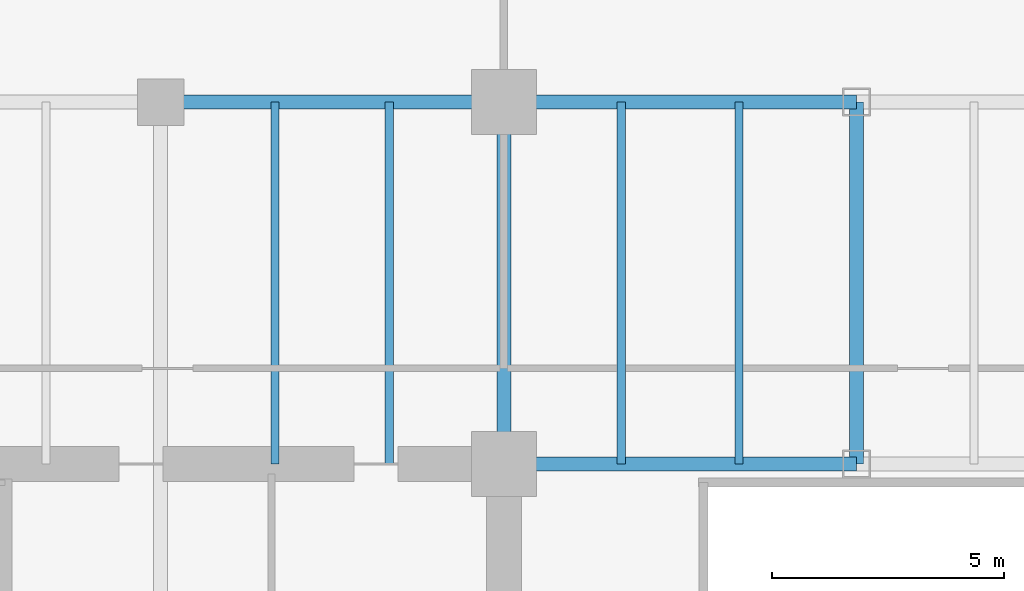
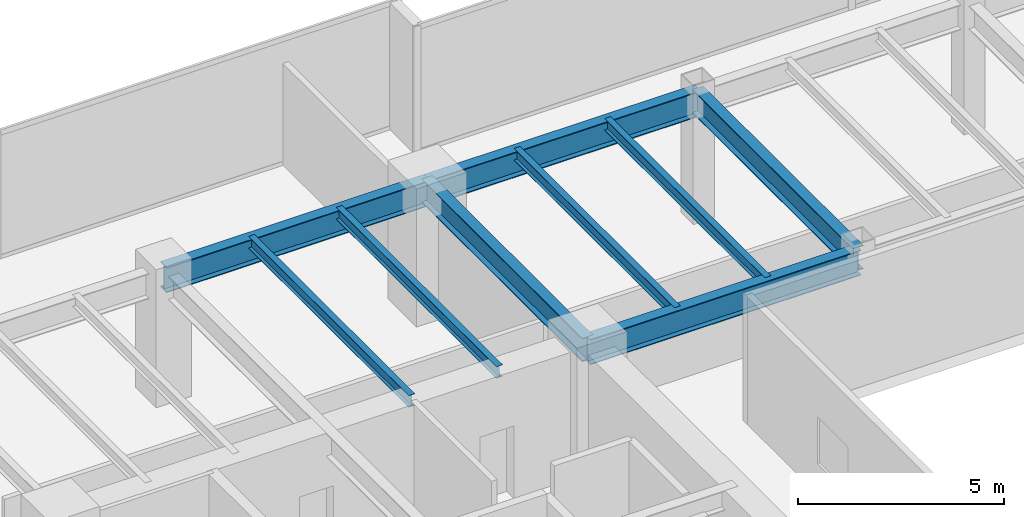
# One storey, part 13 of 35: 9 beams.
"""IFC4 building model written with IfcOpenShell, lengths in metres."""

import ifcopenshell
import ifcopenshell.guid

model = None  # the IFC model being written
_history = None  # IfcOwnerHistory: only IFC2X3 demands one
_inside = {}  # id of a spatial element -> (the spatial element, [elements in it])
_under = {}  # id of a project, library or spatial element -> (it, [spatial elements below it])
_declared = {}  # id of a project -> (the project, [libraries it declares])
_typed = {}  # id of a type object -> (the type object, [elements of that type])
_made_of = {}  # id of a material, layer set ... -> (it, [elements and type objects made of it])


def new_model(schema):
    """Start an empty IFC model of exactly this schema.

    Asked for "IFC4X3", IfcOpenShell would pick the latest addendum, in which some entities
    have other attributes; the version numbers below select the first issue.
    IFC2X3 requires an IfcOwnerHistory on every rooted entity: one is made here for all.
    """
    global model, _history
    if schema == "IFC4X3":
        model = ifcopenshell.file(schema_version=(4, 3, 0, 0))
    else:
        model = ifcopenshell.file(schema=schema)
    _inside.clear()
    _under.clear()
    _declared.clear()
    _typed.clear()
    _made_of.clear()
    _history = None
    if model.schema == "IFC2X3":
        org = make("IfcOrganization", Name="unknown")
        user = make(
            "IfcPersonAndOrganization",
            ThePerson=make("IfcPerson", FamilyName="unknown"),
            TheOrganization=org,
        )
        app = make(
            "IfcApplication",
            ApplicationDeveloper=org,
            Version="unknown",
            ApplicationFullName="unknown",
            ApplicationIdentifier="unknown",
        )
        _history = make(
            "IfcOwnerHistory",
            OwningUser=user,
            OwningApplication=app,
            ChangeAction="ADDED",
            CreationDate=0,
        )
    return model


def make(cls, **values):
    """One entity of the class cls with the attributes given. An attribute that is None is left unset."""
    return model.create_entity(
        cls, **{name: value for name, value in values.items() if value is not None}
    )


def rooted(cls, **values):
    """An entity with a GlobalId (a new one), such as an element, a storey or a relation."""
    return make(cls, GlobalId=ifcopenshell.guid.new(), OwnerHistory=_history, **values)


def si_unit(unit_type, name, prefix=None):
    """IfcSIUnit, for example si_unit("LENGTHUNIT", "METRE", prefix="MILLI")."""
    return make("IfcSIUnit", UnitType=unit_type, Prefix=prefix, Name=name)


def assignment(units):
    """IfcUnitAssignment: the units of a project."""
    return None if units is None else make("IfcUnitAssignment", Units=units)


def point(xyz):
    """IfcCartesianPoint."""
    return None if xyz is None else make("IfcCartesianPoint", Coordinates=xyz)


def direction(xyz):
    """IfcDirection."""
    return None if xyz is None else make("IfcDirection", DirectionRatios=xyz)


def frame(location, z_axis=None, x_axis=None):
    """IfcAxis2Placement3D, a coordinate frame: its origin and axes. An axis left out is left unset."""
    return make(
        "IfcAxis2Placement3D",
        Location=point(location),
        Axis=direction(z_axis),
        RefDirection=direction(x_axis),
    )


def frame_2d(location, x_axis=None):
    """IfcAxis2Placement2D, a coordinate frame in the plane: its origin and x axis."""
    return make(
        "IfcAxis2Placement2D", Location=point(location), RefDirection=direction(x_axis)
    )


def origin():
    """The frame at (0, 0, 0) with its axes left unset."""
    return frame((0.0, 0.0, 0.0))


def origin_2d():
    """The frame at (0, 0) in the plane with its x axis left unset."""
    return frame_2d((0.0, 0.0))


def place(relative_to, where):
    """IfcLocalPlacement: puts the frame where relative to a parent placement (None: the world)."""
    return make(
        "IfcLocalPlacement", PlacementRelTo=relative_to, RelativePlacement=where
    )


def context(
    kind, dimensions, precision=None, world=None, true_north=None, identifier=None
):
    """IfcGeometricRepresentationContext, for example the 3D "Model" context."""
    return make(
        "IfcGeometricRepresentationContext",
        ContextIdentifier=identifier,
        ContextType=kind,
        CoordinateSpaceDimension=dimensions,
        Precision=precision,
        WorldCoordinateSystem=world,
        TrueNorth=true_north,
    )


def subcontext(parent, identifier, kind, view, scale=None):
    """IfcGeometricRepresentationSubContext, for example "Body" below "Model"."""
    return make(
        "IfcGeometricRepresentationSubContext",
        ContextIdentifier=identifier,
        ContextType=kind,
        ParentContext=parent,
        TargetScale=scale,
        TargetView=view,
    )


def project(units=None, contexts=None):
    """IfcProject with its units and contexts."""
    return rooted(
        "IfcProject",
        Name="project",
        RepresentationContexts=contexts,
        UnitsInContext=assignment(units),
    )


def spatial(cls, under=None, at=None, **own):
    """A site, building, storey or space (cls), placed at a placement, below another one or the project."""
    s = rooted(cls, ObjectPlacement=at, **own)
    if under is not None:
        _under.setdefault(under.id(), (under, []))[1].append(s)
    return s


def profile(cls, at=None, kind="AREA", **sizes):
    """A parametric profile (cls). Its sizes go by their IFC names, for example OverallWidth=200.0."""
    return make(cls, ProfileType=kind, Position=at, **sizes)


def i_section(**sizes):
    """IfcIShapeProfileDef."""
    return profile("IfcIShapeProfileDef", **sizes)


def extrude(swept, where, along, depth):
    """IfcExtrudedAreaSolid: the profile swept, set in the frame where, extruded along a direction by depth."""
    return make(
        "IfcExtrudedAreaSolid",
        SweptArea=swept,
        Position=where,
        ExtrudedDirection=direction(along),
        Depth=depth,
    )


def shape(context_of_items, identifier, shape_type, items):
    """IfcShapeRepresentation: the items that make up one representation, for example the "Body"."""
    return make(
        "IfcShapeRepresentation",
        ContextOfItems=context_of_items,
        RepresentationIdentifier=identifier,
        RepresentationType=shape_type,
        Items=items,
    )


def source(mapping_origin, context_of_items, identifier, shape_type, items):
    """IfcRepresentationMap: a shape defined once, which mapped items show again and again."""
    return make(
        "IfcRepresentationMap",
        MappingOrigin=mapping_origin,
        MappedRepresentation=shape(context_of_items, identifier, shape_type, items),
    )


def transform(
    local_origin,
    x_axis=None,
    y_axis=None,
    z_axis=None,
    scale=None,
    scale2=None,
    scale3=None,
    uniform=True,
):
    """IfcCartesianTransformationOperator3D, or its non-uniform kind. x_axis, y_axis, z_axis: its Axis1, 2, 3."""
    if uniform:
        return make(
            "IfcCartesianTransformationOperator3D",
            Axis1=direction(x_axis),
            Axis2=direction(y_axis),
            LocalOrigin=point(local_origin),
            Scale=scale,
            Axis3=direction(z_axis),
        )
    return make(
        "IfcCartesianTransformationOperator3DnonUniform",
        Axis1=direction(x_axis),
        Axis2=direction(y_axis),
        LocalOrigin=point(local_origin),
        Scale=scale,
        Axis3=direction(z_axis),
        Scale2=scale2,
        Scale3=scale3,
    )


def mapped(mapping_source, mapping_target):
    """IfcMappedItem: shows the shape of a source again, moved by a transform."""
    return make(
        "IfcMappedItem", MappingSource=mapping_source, MappingTarget=mapping_target
    )


def material(Name=None, Category=None):
    """IfcMaterial."""
    return make("IfcMaterial", Name=Name, Category=Category)


def material_profile(
    of_material, cross_section, Name=None, Category=None, Priority=None
):
    """IfcMaterialProfile: a cross section and its material."""
    return make(
        "IfcMaterialProfile",
        Name=Name,
        Material=of_material,
        Profile=cross_section,
        Priority=Priority,
        Category=Category,
    )


def profile_set(profiles, Name=None, composite=None):
    """IfcMaterialProfileSet."""
    return make(
        "IfcMaterialProfileSet",
        Name=Name,
        MaterialProfiles=profiles,
        CompositeProfile=composite,
    )


def made_of(thing, what):
    """Note that an element or type object is made of a material, layer set ...; save() writes the relation."""
    if what is not None:
        _made_of.setdefault(what.id(), (what, []))[1].append(thing)
    return thing


def type_object(cls, material=None, **own):
    """A type object (cls), such as IfcWallType, which elements share."""
    return made_of(rooted(cls, **own), material)


def type_shapes(of_type, sources):
    """Give a type object the sources (RepresentationMaps) that its elements show as mapped items."""
    of_type.RepresentationMaps = sources


def element(
    cls,
    number,
    at=None,
    inside=None,
    cuts=None,
    type_object=None,
    material=None,
    context=None,
    identifier="Body",
    shape_type=None,
    held_by="IfcProductDefinitionShape",
    body=None,
    shapes=None,
    **own,
):
    """One element of the class cls, such as IfcWall. Its Tag is "e" and its number.

    at: its placement. inside: the storey or other place that contains it. cuts: it is an
    opening in that element (IfcRelVoidsElement). A single representation is given by context,
    identifier, shape_type and body (its items); several are given by shapes. held_by: the class
    of the entity that holds the representations. save() writes the other relations.
    """
    e = rooted(cls, Tag="e%d" % number, ObjectPlacement=at, **own)
    if body is not None:
        shapes = [shape(context, identifier, shape_type, body)]
    if shapes is not None:
        e.Representation = make(held_by, Representations=shapes)
    if inside is not None:
        _inside.setdefault(inside.id(), (inside, []))[1].append(e)
    if cuts is not None:
        rooted(
            "IfcRelVoidsElement", RelatingBuildingElement=cuts, RelatedOpeningElement=e
        )
    if type_object is not None:
        _typed.setdefault(type_object.id(), (type_object, []))[1].append(e)
    return made_of(e, material)


def aggregate(whole, parts):
    """IfcRelAggregates: a whole, such as a stair, and the parts it consists of."""
    return rooted("IfcRelAggregates", RelatingObject=whole, RelatedObjects=parts)


def save(model, path):
    """Write the relations noted so far, then the file.

    IfcRelAggregates (storeys below a building ...), IfcRelContainedInSpatialStructure (elements
    in a storey), IfcRelDefinesByType, IfcRelAssociatesMaterial and IfcRelDeclares: one each for
    every whole, place, type object, material and project.
    """
    for whole, parts in _under.values():
        aggregate(whole, parts)
    for where, things in _inside.values():
        rooted(
            "IfcRelContainedInSpatialStructure",
            RelatedElements=things,
            RelatingStructure=where,
        )
    for kind, things in _typed.values():
        rooted("IfcRelDefinesByType", RelatedObjects=things, RelatingType=kind)
    for what, things in _made_of.values():
        rooted("IfcRelAssociatesMaterial", RelatedObjects=things, RelatingMaterial=what)
    for by, libraries in _declared.values():
        rooted("IfcRelDeclares", RelatingContext=by, RelatedDefinitions=libraries)
    model.write(path)


model = new_model("IFC4")

# Units and contexts
model_context = context("Model", 3, precision=1e-05, world=origin(), true_north=direction((0.0, 1.0)))
body_context = subcontext(model_context, "Body", "Model", "MODEL_VIEW")
ifc_project = project(units=[si_unit("LENGTHUNIT", "METRE"), si_unit("AREAUNIT", "SQUARE_METRE"), si_unit("VOLUMEUNIT", "CUBIC_METRE"), si_unit("PLANEANGLEUNIT", "RADIAN"), si_unit("MASSUNIT", "GRAM", prefix="KILO")], contexts=[model_context])

# Site, building, storey
site_placement = place(None, origin())
site = spatial("IfcSite", under=ifc_project, at=site_placement, CompositionType="ELEMENT")
building_placement = place(site_placement, origin())
building = spatial("IfcBuilding", under=site, at=building_placement, Name="Haelvirn Gate Laboratories", CompositionType="ELEMENT")
storey_placement = place(building_placement, frame((0.0, 0.0, 41.60009765625)))
storey = spatial("IfcBuildingStorey", under=building, at=storey_placement, Name="L10", CompositionType="ELEMENT", Elevation=41.60009765625)

# Beams
ifc_material = material(Name="Steel SM355", Category="steel")
ifc_material_profile_1 = material_profile(ifc_material, i_section(OverallWidth=0.300048828125, OverallDepth=0.699951171875, WebThickness=0.012939453125, FlangeThickness=0.02392578125, at=origin_2d()), Name="H-700x300x13x24")
ifc_profile_set_1 = profile_set([ifc_material_profile_1], Name="Steel SM355")
beam_type_1 = type_object("IfcBeamType", Name="BM-G-700", PredefinedType="BEAM", material=ifc_profile_set_1)
shared_shape_1 = source(origin(), body_context, "Body", "SweptSolid", [
    extrude(i_section(OverallWidth=0.300048828125, OverallDepth=0.699951171875, WebThickness=0.012939453125, FlangeThickness=0.02392578125, at=origin_2d()), origin(), (0.0, 0.0, 1.0), 7.800048828125),
])
type_shapes(beam_type_1, [shared_shape_1])
for number, where, z_axis, x_axis, name in (
    (1, (22.199951171875, 33.800048828125, 3.429931640625), (0.0, 1.0, 0.0), (-1.0, 0.0, 0.0), "L10 Frame Girder X22.2 (33.8-41.6)"),
    (2, (29.800048828125, 33.800048828125, 3.429931640625), (0.0, 1.0, 0.0), (-1.0, 0.0, 0.0), "L10 Frame Girder X29.8 (33.8-41.6)"),
):
    element("IfcBeam", number, at=place(storey_placement, frame(where, z_axis=z_axis, x_axis=x_axis)), inside=storey, type_object=beam_type_1, Name=name, PredefinedType="BEAM", context=body_context, shape_type="MappedRepresentation", body=[
        mapped(shared_shape_1, transform((0.0, 0.0, 0.0), scale=1.0)),
    ])
ifc_material_profile_2 = material_profile(ifc_material, i_section(OverallWidth=0.300048828125, OverallDepth=0.75, WebThickness=0.013916015625, FlangeThickness=0.02392578125, at=origin_2d()), Name="H-750x300x14x24")
ifc_profile_set_2 = profile_set([ifc_material_profile_2], Name="Steel SM355")
beam_type_2 = type_object("IfcBeamType", Name="BM-G-750", PredefinedType="BEAM", material=ifc_profile_set_2)
shared_shape_2 = source(origin(), body_context, "Body", "SweptSolid", [
    extrude(i_section(OverallWidth=0.300048828125, OverallDepth=0.75, WebThickness=0.013916015625, FlangeThickness=0.02392578125, at=origin_2d()), origin(), (0.0, 0.0, 1.0), 7.39990234375),
])
beam_placement = place(storey_placement, frame((14.800048828125, 41.60009765625, 3.40478515625), z_axis=(1.0, 0.0, 0.0), x_axis=(0.0, 1.0, 0.0)))
element("IfcBeam", 3, at=beam_placement, inside=storey, type_object=beam_type_2, Name="L10 Primary Girder Y41.6 (14.8-22.2)", PredefinedType="BEAM", context=body_context, shape_type="MappedRepresentation", body=[
    mapped(shared_shape_2, transform((0.0, 0.0, 0.0), scale=1.0)),
])
shared_shape_3 = source(origin(), body_context, "Body", "SweptSolid", [
    extrude(i_section(OverallWidth=0.300048828125, OverallDepth=0.75, WebThickness=0.013916015625, FlangeThickness=0.02392578125, at=origin_2d()), origin(), (0.0, 0.0, 1.0), 7.60009765625),
])
type_shapes(beam_type_2, [shared_shape_2, shared_shape_3])
for number, where, z_axis, x_axis, name in (
    (4, (22.199951171875, 33.800048828125, 3.40478515625), (1.0, 0.0, 0.0), (0.0, 1.0, 0.0), "L10 Primary Girder Y33.8 (22.2-29.8)"),
    (5, (22.199951171875, 41.60009765625, 3.40478515625), (1.0, 0.0, 0.0), (0.0, 1.0, 0.0), "L10 Primary Girder Y41.6 (22.2-29.8)"),
):
    element("IfcBeam", number, at=place(storey_placement, frame(where, z_axis=z_axis, x_axis=x_axis)), inside=storey, type_object=beam_type_2, Name=name, PredefinedType="BEAM", context=body_context, shape_type="MappedRepresentation", body=[
        mapped(shared_shape_3, transform((0.0, 0.0, 0.0), scale=1.0)),
    ])
ifc_material_profile_3 = material_profile(ifc_material, i_section(OverallWidth=0.175048828125, OverallDepth=0.35009765625, WebThickness=0.007080078125, FlangeThickness=0.010986328125, at=origin_2d()), Name="H-350x175x7x11")
ifc_profile_set_3 = profile_set([ifc_material_profile_3], Name="Steel SM355")
beam_type_3 = type_object("IfcBeamType", Name="BM-J-350", PredefinedType="JOIST", material=ifc_profile_set_3)
shared_shape_4 = source(origin(), body_context, "Body", "SweptSolid", [
    extrude(i_section(OverallWidth=0.175048828125, OverallDepth=0.35009765625, WebThickness=0.007080078125, FlangeThickness=0.010986328125, at=origin_2d()), origin(), (0.0, 0.0, 1.0), 7.800048828125),
])
type_shapes(beam_type_3, [shared_shape_4])
for number, where, z_axis, x_axis, name in (
    (6, (17.27001953125, 33.800048828125, 3.60498046875), (0.0, 1.0, 0.0), (-1.0, 0.0, 0.0), "L10 Composite Lab Joist North X17.27"),
    (7, (19.72998046875, 33.800048828125, 3.60498046875), (0.0, 1.0, 0.0), (-1.0, 0.0, 0.0), "L10 Composite Lab Joist North X19.73"),
    (8, (24.72998046875, 33.800048828125, 3.60498046875), (0.0, 1.0, 0.0), (-1.0, 0.0, 0.0), "L10 Composite Lab Joist North X24.73"),
    (9, (27.27001953125, 33.800048828125, 3.60498046875), (0.0, 1.0, 0.0), (-1.0, 0.0, 0.0), "L10 Composite Lab Joist North X27.27"),
):
    element("IfcBeam", number, at=place(storey_placement, frame(where, z_axis=z_axis, x_axis=x_axis)), inside=storey, type_object=beam_type_3, Name=name, PredefinedType="JOIST", context=body_context, shape_type="MappedRepresentation", body=[
        mapped(shared_shape_4, transform((0.0, 0.0, 0.0), scale=1.0)),
    ])

save(model, "model.ifc")
